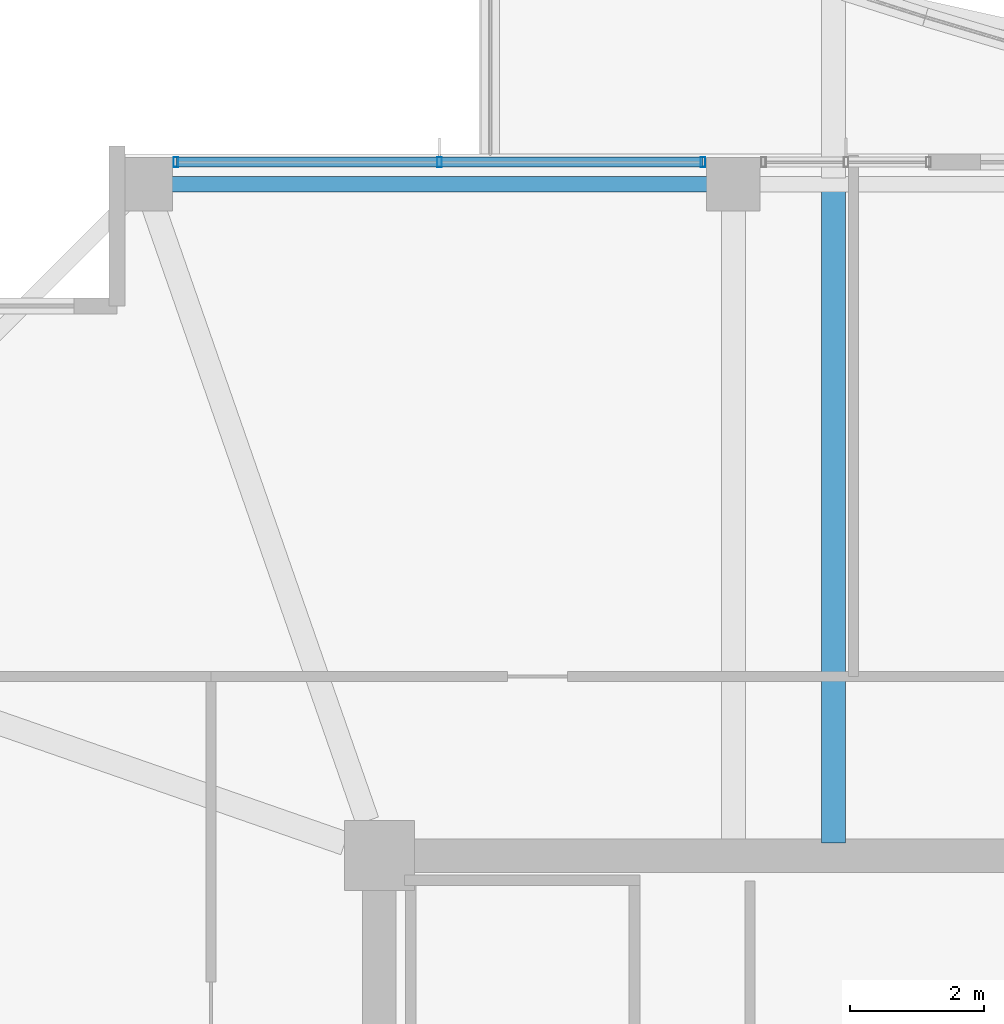
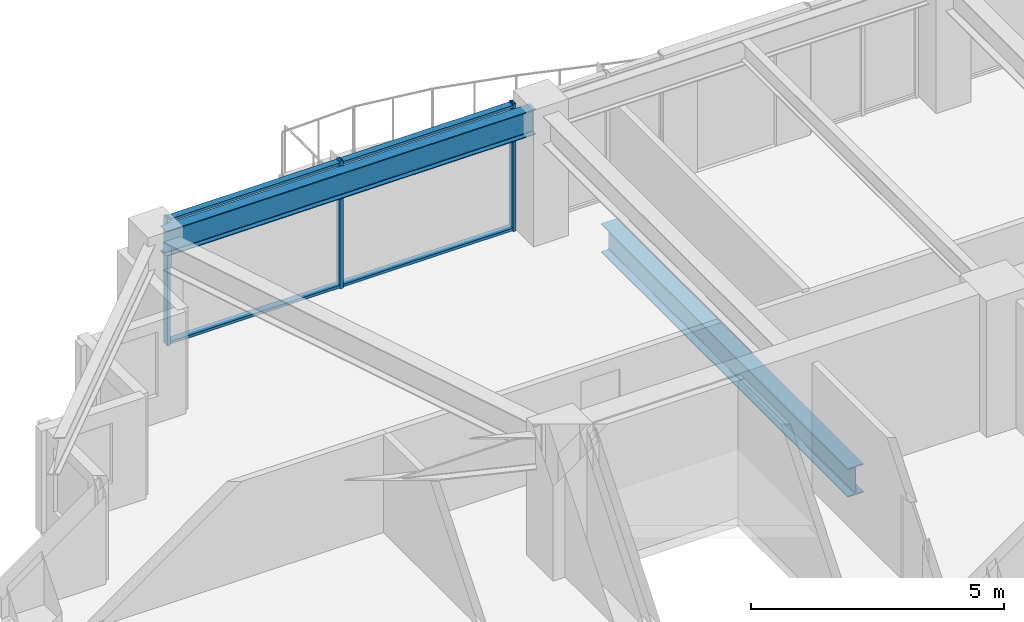
# One storey, part 16 of 36: 5 members, 2 beams, 1 element without a shape of its own.
"""IFC4 building model written with IfcOpenShell, lengths in metres."""

from ifc_helpers import new_model, si_unit, direction, frame, origin, origin_2d, place, context, subcontext, project, spatial, hollow_rectangle, i_section, extrude, material, material_profile, profile_set, type_object, element, aggregate, save


model = new_model("IFC4")

# Units and contexts
model_context = context("Model", 3, precision=1e-05, world=origin(), true_north=direction((0.0, 1.0)))
body_context = subcontext(model_context, "Body", "Model", "MODEL_VIEW")
ifc_project = project(units=[si_unit("LENGTHUNIT", "METRE"), si_unit("AREAUNIT", "SQUARE_METRE"), si_unit("VOLUMEUNIT", "CUBIC_METRE"), si_unit("PLANEANGLEUNIT", "RADIAN"), si_unit("MASSUNIT", "GRAM", prefix="KILO")], contexts=[model_context])

# Site, building, storey
site_placement = place(None, origin())
site = spatial("IfcSite", under=ifc_project, at=site_placement, CompositionType="ELEMENT")
building_placement = place(site_placement, origin())
building = spatial("IfcBuilding", under=site, at=building_placement, Name="Kolvaren Belvedere", CompositionType="ELEMENT")
storey_placement = place(building_placement, frame((0.0, 0.0, 193.199951171875)))
storey = spatial("IfcBuildingStorey", under=building, at=storey_placement, Name="L56", CompositionType="ELEMENT", Elevation=193.199951171875)

# Beams
ifc_material_1 = material(Name="Structural steel ASTM A992 Grade 50", Category="steel")
ifc_material_profile_1 = material_profile(ifc_material_1, i_section(OverallWidth=0.35498046875, OverallDepth=0.696044921875, WebThickness=0.015380859375, FlangeThickness=0.02490234375, FilletRadius=0.02197265625, at=origin_2d()), Name="W27X146")
ifc_profile_set_1 = profile_set([ifc_material_profile_1], Name="Structural steel ASTM A992 Grade 50")
beam_type_1 = type_object("IfcBeamType", Name="BM-GIRD-W27X146", PredefinedType="BEAM", material=ifc_profile_set_1)
beam_1_placement = place(storey_placement, frame((-3.10009765625, 10.090087890625, -0.56787109375), z_axis=(0.0, 1.0, 0.0), x_axis=(-1.0, 0.0, 0.0)))
element("IfcBeam", 1, at=beam_1_placement, inside=storey, type_object=beam_type_1, Name="L56 Balcony Interior Back-Span Girder BAL-N-1", PredefinedType="BEAM", context=body_context, shape_type="SweptSolid", body=[
    extrude(i_section(OverallWidth=0.35498046875, OverallDepth=0.696044921875, WebThickness=0.015380859375, FlangeThickness=0.02490234375, FilletRadius=0.02197265625, at=origin_2d()), origin(), (0.0, 0.0, 1.0), 9.764892578125),
])
ifc_material_2 = material(Name="Structural steel ASTM A992 Grade 50", Category="steel")
ifc_material_profile_2 = material_profile(ifc_material_2, i_section(OverallWidth=0.22900390625, OverallDepth=0.612060546875, WebThickness=0.011962890625, FlangeThickness=0.01953125, FilletRadius=0.01806640625, at=origin_2d()), Name="W24X84")
ifc_profile_set_2 = profile_set([ifc_material_profile_2], Name="Structural steel ASTM A992 Grade 50")
beam_type_2 = type_object("IfcBeamType", Name="BM-SPAN-W24X84", PredefinedType="SPANDREL", material=ifc_profile_set_2)
beam_2_placement = place(storey_placement, frame((-4.780029296875, 19.949951171875, 2.774169921875), z_axis=(-1.0, 0.0, 0.0), x_axis=(0.0, -1.0, 0.0)))
element("IfcBeam", 2, at=beam_2_placement, inside=storey, type_object=beam_type_2, Name="L56 Perimeter Spandrel N2-N1", PredefinedType="SPANDREL", context=body_context, shape_type="SweptSolid", body=[
    extrude(i_section(OverallWidth=0.22900390625, OverallDepth=0.612060546875, WebThickness=0.011962890625, FlangeThickness=0.01953125, FilletRadius=0.01806640625, at=origin_2d()), origin(), (0.0, 0.0, 1.0), 8.43994140625),
])

# Curtain wall, members
ifc_material_3 = material(Name="Anodised pale-metal aluminium AA 6063-T6", Category="aluminium")
curtain_wall_type = type_object("IfcCurtainWallType", Name="CW-Z5-HIGH", PredefinedType="NOTDEFINED", material=ifc_material_3)
curtain_wall_placement = place(storey_placement, origin())
curtain_wall = element("IfcCurtainWall", 3, at=curtain_wall_placement, inside=storey, type_object=curtain_wall_type, Name="L56 Unitised Curtain Wall FCW-L56-N1-B1", PredefinedType="NOTDEFINED")
ifc_material_4 = material(Name="Anodised pale-metal aluminium AA 6063-T6", Category="aluminium")
ifc_material_profile_3 = material_profile(ifc_material_4, hollow_rectangle(XDim=0.070068359375, YDim=0.14990234375, WallThickness=0.004150390625, at=origin_2d()), Name="ALU-MUL-150X70")
ifc_profile_set_3 = profile_set([ifc_material_profile_3], Name="Anodised pale-metal aluminium AA 6063-T6")
member_type_1 = type_object("IfcMemberType", Name="CW-MUL-150", PredefinedType="MULLION", material=ifc_profile_set_3)
member_1_placement = place(storey_placement, frame((-12.945068359375, 20.280029296875, 0.0), z_axis=(0.0, 0.0, 1.0), x_axis=(1.0, 0.0, 0.0)))
member_1 = element("IfcMember", 4, at=member_1_placement, type_object=member_type_1, Name="FCW-L56-N1-B1 Unitised Mullion 1", PredefinedType="MULLION", context=body_context, shape_type="SweptSolid", body=[
    extrude(hollow_rectangle(XDim=0.070068359375, YDim=0.14990234375, WallThickness=0.004150390625, at=origin_2d()), origin(), (0.0, 0.0, 1.0), 3.080078125),
])
member_2_placement = place(storey_placement, frame((-9.0, 20.280029296875, 0.0), z_axis=(0.0, 0.0, 1.0), x_axis=(1.0, 0.0, 0.0)))
member_2 = element("IfcMember", 5, at=member_2_placement, type_object=member_type_1, Name="FCW-L56-N1-B1 Unitised Mullion 2", PredefinedType="MULLION", context=body_context, shape_type="SweptSolid", body=[
    extrude(hollow_rectangle(XDim=0.070068359375, YDim=0.14990234375, WallThickness=0.004150390625, at=origin_2d()), origin(), (0.0, 0.0, 1.0), 3.080078125),
])
member_3_placement = place(storey_placement, frame((-5.054931640625, 20.280029296875, 0.0), z_axis=(0.0, 0.0, 1.0), x_axis=(1.0, 0.0, 0.0)))
member_3 = element("IfcMember", 6, at=member_3_placement, type_object=member_type_1, Name="FCW-L56-N1-B1 Unitised Mullion 3", PredefinedType="MULLION", context=body_context, shape_type="SweptSolid", body=[
    extrude(hollow_rectangle(XDim=0.070068359375, YDim=0.14990234375, WallThickness=0.004150390625, at=origin_2d()), origin(), (0.0, 0.0, 1.0), 3.080078125),
])
ifc_material_5 = material(Name="Anodised pale-metal aluminium AA 6063-T6", Category="aluminium")
ifc_material_profile_4 = material_profile(ifc_material_5, hollow_rectangle(XDim=0.06494140625, YDim=0.14990234375, WallThickness=0.00390625, at=origin_2d()), Name="ALU-TRN-150X65")
ifc_profile_set_4 = profile_set([ifc_material_profile_4], Name="Anodised pale-metal aluminium AA 6063-T6")
member_type_2 = type_object("IfcMemberType", Name="CW-TRN-150", PredefinedType="USERDEFINED", material=ifc_profile_set_4)
member_4_placement = place(storey_placement, frame((-12.945068359375, 20.280029296875, 0.06005859375), z_axis=(1.0, 0.0, 0.0), x_axis=(0.0, 0.0, 1.0)))
member_4 = element("IfcMember", 7, at=member_4_placement, type_object=member_type_2, Name="FCW-L56-N1-B1 Sill Transom", ObjectType="TRANSOM", PredefinedType="USERDEFINED", context=body_context, shape_type="SweptSolid", body=[
    extrude(hollow_rectangle(XDim=0.06494140625, YDim=0.14990234375, WallThickness=0.00390625, at=origin_2d()), origin(), (0.0, 0.0, 1.0), 7.89013671875),
])
member_5_placement = place(storey_placement, frame((-12.945068359375, 20.280029296875, 3.02001953125), z_axis=(1.0, 0.0, 0.0), x_axis=(0.0, 0.0, 1.0)))
member_5 = element("IfcMember", 8, at=member_5_placement, type_object=member_type_2, Name="FCW-L56-N1-B1 Head Transom", ObjectType="TRANSOM", PredefinedType="USERDEFINED", context=body_context, shape_type="SweptSolid", body=[
    extrude(hollow_rectangle(XDim=0.06494140625, YDim=0.14990234375, WallThickness=0.00390625, at=origin_2d()), origin(), (0.0, 0.0, 1.0), 7.89013671875),
])
aggregate(curtain_wall, [member_1, member_2, member_3, member_4, member_5])

save(model, "model.ifc")
